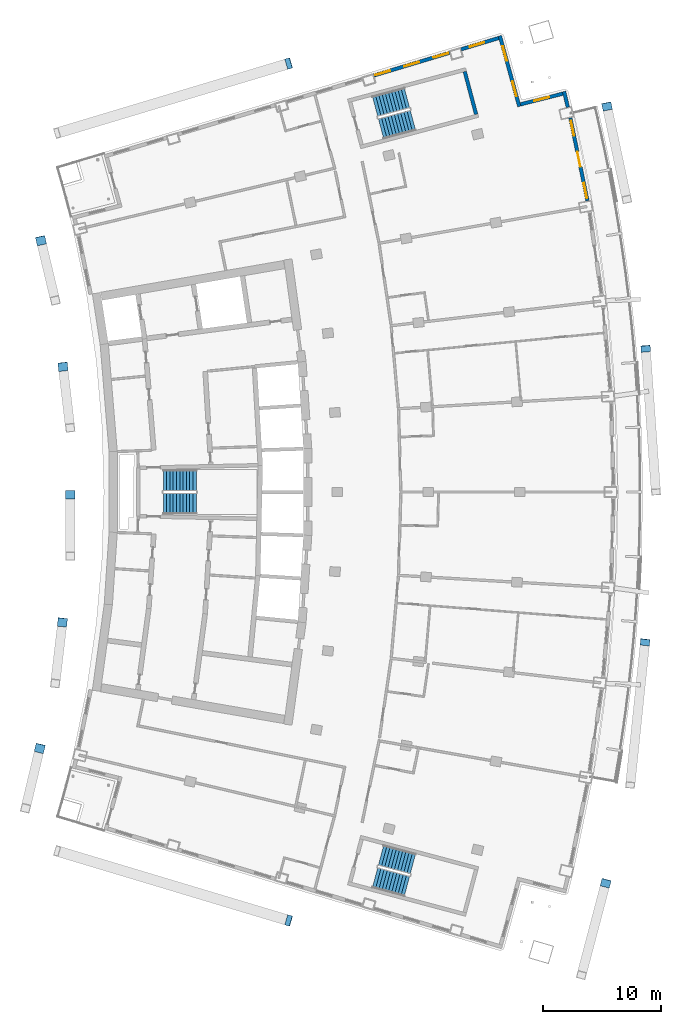
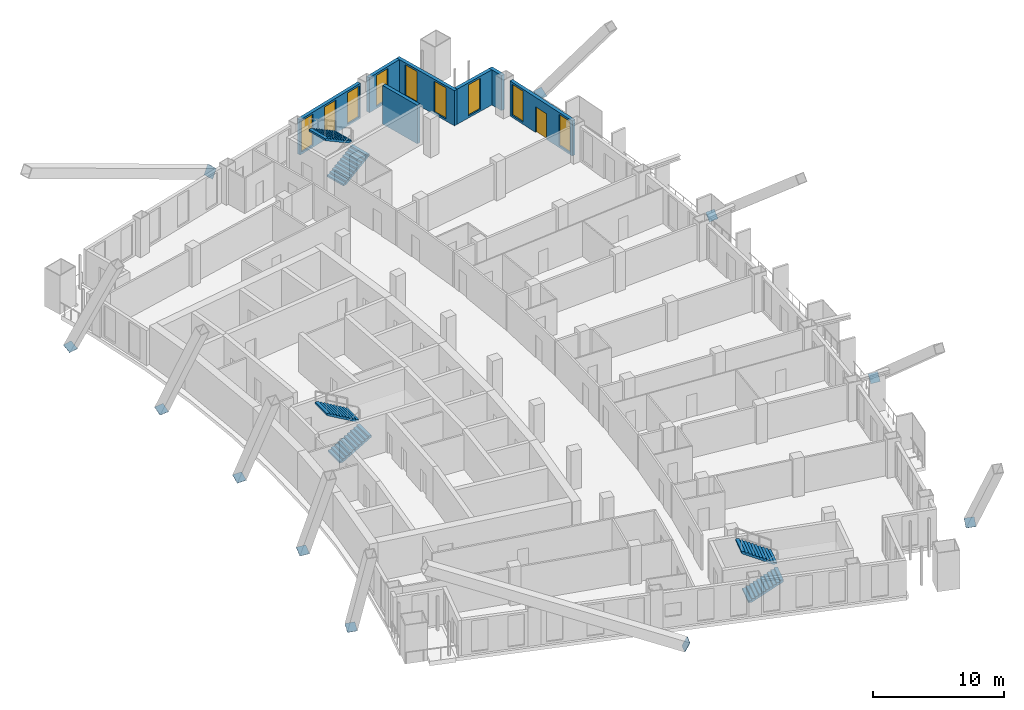
# One storey, part 16 of 19: 11 discrete accessories, 9 windows, 7 walls, 6 stair flights, 1 door, 10 openings, 3 elements without a shape of their own.
"""IFC4 building model written with IfcOpenShell, lengths in metres."""

from ifc_helpers import new_model, si_unit, direction, frame, frame_2d, origin, origin_2d, place, context, subcontext, project, spatial, polyline, rectangle, outline, extrude, material, layer, layer_set, material_profile, profile_set, type_object, element, fill, aggregate, save


model = new_model("IFC4")

# Units and contexts
model_context = context("Model", 3, precision=1e-05, world=origin(), true_north=direction((0.0, 1.0)))
body_context = subcontext(model_context, "Body", "Model", "MODEL_VIEW")
ifc_project = project(units=[si_unit("LENGTHUNIT", "METRE"), si_unit("AREAUNIT", "SQUARE_METRE"), si_unit("VOLUMEUNIT", "CUBIC_METRE"), si_unit("PLANEANGLEUNIT", "RADIAN"), si_unit("MASSUNIT", "GRAM", prefix="KILO")], contexts=[model_context])

# Site, building, storey
site_placement = place(None, origin())
site = spatial("IfcSite", under=ifc_project, at=site_placement, CompositionType="ELEMENT")
building_placement = place(site_placement, origin())
building = spatial("IfcBuilding", under=site, at=building_placement, Name="Alderwake Tower", CompositionType="ELEMENT")
storey_placement = place(building_placement, frame((0.0, 0.0, 171.199951171875)))
storey = spatial("IfcBuildingStorey", under=building, at=storey_placement, Name="L42", CompositionType="ELEMENT", Elevation=171.199951171875)

# Wall
ifc_material_1 = material(Name="Concrete C70/85", Category="concrete")
ifc_layer_1 = layer(ifc_material_1, 0.300048828125)
ifc_layer_set_1 = layer_set([ifc_layer_1], Name="Core wall stair enclosure 300 C70-85")
wall_type_1 = type_object("IfcWallType", Name="Core wall stair enclosure 300 C70-85", PredefinedType="SHEAR", material=ifc_layer_set_1)
wall_1_placement = place(storey_placement, frame((47.581298828125, 93.041748046875, 0.0), z_axis=(0.0, 0.0, 1.0), x_axis=(-0.257366821694, 0.966313778796, 0.0)))
element("IfcWall", 1, at=wall_1_placement, inside=storey, type_object=wall_type_1, Name="Core wall CW.081", PredefinedType="SHEAR", context=body_context, shape_type="SweptSolid", body=[
    extrude(rectangle(XDim=3.749755859375, YDim=0.300048828125, at=frame_2d((1.875, 0.0))), origin(), (0.0, 0.0, 1.0), 3.60009765625),
])

# Wall, openings, door, windows
ifc_material_2 = material(Name="Precast concrete C50/60 spandrel panel", Category="concrete")
ifc_layer_2 = layer(ifc_material_2, 0.300048828125)
ifc_layer_set_2 = layer_set([ifc_layer_2], Name="External wall EW1 Precast concrete C50/60 spandrel")
wall_type_2 = type_object("IfcWallType", Name="External wall EW1 Precast concrete C50/60 spandrel", PredefinedType="SOLIDWALL", material=ifc_layer_set_2)
wall_2_placement = place(storey_placement, frame((57.027099609375, 85.707763671875, 0.0), z_axis=(0.0, 0.0, 1.0), x_axis=(-0.202713609839, 0.979238067268, 0.0)))
wall_2 = element("IfcWall", 2, at=wall_2_placement, inside=storey, type_object=wall_type_2, Name="External wall 19", PredefinedType="SOLIDWALL", context=body_context, shape_type="SweptSolid", body=[
    extrude(rectangle(XDim=7.175537109375, YDim=0.300048828125, at=frame_2d((3.587890625, 0.0))), origin(), (0.0, 0.0, 1.0), 3.280029296875),
])
opening_1_placement = place(wall_2_placement, frame((0.2353515625, 0.0, 0.199951171875)))
opening_1 = element("IfcOpeningElement", 3, at=opening_1_placement, cuts=wall_2, Name="Opening W1", PredefinedType="OPENING", context=body_context, shape_type="SweptSolid", body=[
    extrude(rectangle(XDim=1.300048828125, YDim=2.89990234375, at=frame_2d((0.64990234375, 1.449951171875))), frame((0.0, 0.159912109375, 0.0), z_axis=(0.0, -1.0, 0.0), x_axis=(1.0, 0.0, 0.0)), (0.0, 0.0, 1.0), 0.320068359375),
])
opening_2_placement = place(wall_2_placement, frame((2.937744140625, 0.0, 0.0)))
opening_2 = element("IfcOpeningElement", 4, at=opening_2_placement, cuts=wall_2, Name="Opening D08", PredefinedType="OPENING", context=body_context, shape_type="SweptSolid", body=[
    extrude(rectangle(XDim=1.300048828125, YDim=2.39990234375, at=frame_2d((0.64990234375, 1.199951171875))), frame((0.0, 0.159912109375, 0.0), z_axis=(0.0, -1.0, 0.0), x_axis=(1.0, 0.0, 0.0)), (0.0, 0.0, 1.0), 0.320068359375),
])
opening_3_placement = place(wall_2_placement, frame((5.64013671875, 0.0, 0.199951171875)))
opening_3 = element("IfcOpeningElement", 5, at=opening_3_placement, cuts=wall_2, Name="Opening W1", PredefinedType="OPENING", context=body_context, shape_type="SweptSolid", body=[
    extrude(rectangle(XDim=1.300048828125, YDim=2.89990234375, at=frame_2d((0.64990234375, 1.449951171875))), frame((0.0, 0.159912109375, 0.0), z_axis=(0.0, -1.0, 0.0), x_axis=(1.0, 0.0, 0.0)), (0.0, 0.0, 1.0), 0.320068359375),
])
ifc_material_3 = material(Name="Bronze tinted glass in aluminium frame", Category="aluminium")
door_type = type_object("IfcDoorType", Name="Balcony door BD sliding", OperationType="SLIDING_TO_LEFT", PredefinedType="DOOR", material=ifc_material_3)
door_placement = place(opening_2_placement, origin())
door = element("IfcDoor", 6, at=door_placement, inside=storey, type_object=door_type, Name="Door D08", OperationType="SLIDING_TO_LEFT", OverallHeight=2.39990234375, OverallWidth=1.300048828125, PredefinedType="DOOR", context=body_context, shape_type="SweptSolid", body=[
    extrude(rectangle(XDim=1.300048828125, YDim=2.39990234375, at=frame_2d((0.64990234375, 1.199951171875))), frame((0.0, 0.02490234375, 0.0), z_axis=(0.0, -1.0, 0.0), x_axis=(1.0, 0.0, 0.0)), (0.0, 0.0, 1.0), 0.050048828125),
])
fill(opening_2, door)
ifc_material_4 = material(Name="Bronze tinted glass in aluminium frame", Category="aluminium")
window_type = type_object("IfcWindowType", Name="Window W1 tall fixed and vent", PartitioningType="DOUBLE_PANEL_VERTICAL", PredefinedType="WINDOW", material=ifc_material_4)
window_1_placement = place(opening_1_placement, origin())
window_1 = element("IfcWindow", 7, at=window_1_placement, inside=storey, type_object=window_type, Name="Window W1 tall fixed and vent", OverallHeight=2.89990234375, OverallWidth=1.300048828125, PartitioningType="DOUBLE_PANEL_VERTICAL", PredefinedType="WINDOW", context=body_context, shape_type="SweptSolid", body=[
    extrude(rectangle(XDim=1.300048828125, YDim=2.89990234375, at=frame_2d((0.64990234375, 1.449951171875))), frame((0.0, 0.030029296875, 0.0), z_axis=(0.0, -1.0, 0.0), x_axis=(1.0, 0.0, 0.0)), (0.0, 0.0, 1.0), 0.06005859375),
])
fill(opening_1, window_1)
window_2_placement = place(opening_3_placement, origin())
window_2 = element("IfcWindow", 8, at=window_2_placement, inside=storey, type_object=window_type, Name="Window W1 tall fixed and vent", OverallHeight=2.89990234375, OverallWidth=1.300048828125, PartitioningType="DOUBLE_PANEL_VERTICAL", PredefinedType="WINDOW", context=body_context, shape_type="SweptSolid", body=[
    extrude(rectangle(XDim=1.300048828125, YDim=2.89990234375, at=frame_2d((0.64990234375, 1.449951171875))), frame((0.0, 0.030029296875, 0.0), z_axis=(0.0, -1.0, 0.0), x_axis=(1.0, 0.0, 0.0)), (0.0, 0.0, 1.0), 0.06005859375),
])
fill(opening_3, window_2)

# Wall
wall_3_placement = place(storey_placement, frame((55.367919921875, 93.640380859375, 0.0), z_axis=(0.0, 0.0, 1.0), x_axis=(-0.238313179322, 0.971188358951, 0.0)))
element("IfcWall", 9, at=wall_3_placement, inside=storey, type_object=wall_type_2, Name="External wall 20", PredefinedType="SOLIDWALL", context=body_context, shape_type="SweptSolid", body=[
    extrude(rectangle(XDim=1.374755859375, YDim=0.300048828125, at=frame_2d((0.6875, 0.0))), origin(), (0.0, 0.0, 1.0), 3.280029296875),
])

# Wall, opening, window
ifc_material_5 = material(Name="Bronze metal cladding on lightweight framing")
ifc_layer_3 = layer(ifc_material_5, 0.300048828125)
ifc_layer_set_3 = layer_set([ifc_layer_3], Name="External wall EW2 bronze metal cladding")
wall_type_3 = type_object("IfcWallType", Name="External wall EW2 bronze metal cladding", PredefinedType="SOLIDWALL", material=ifc_layer_set_3)
wall_4_placement = place(storey_placement, frame((54.930419921875, 94.793212890625, 0.0), z_axis=(0.0, 0.0, 1.0), x_axis=(-0.969426922046, -0.245380200529, 0.0)))
wall_4 = element("IfcWall", 10, at=wall_4_placement, inside=storey, type_object=wall_type_3, Name="External wall 21", PredefinedType="SOLIDWALL", context=body_context, shape_type="SweptSolid", body=[
    extrude(rectangle(XDim=3.6943359375, YDim=0.300048828125, at=frame_2d((1.84716796875, 0.0))), origin(), (0.0, 0.0, 1.0), 3.280029296875),
])
opening_4_placement = place(wall_4_placement, frame((1.197021484375, 0.0, 0.199951171875)))
opening_4 = element("IfcOpeningElement", 11, at=opening_4_placement, cuts=wall_4, Name="Opening W1", PredefinedType="OPENING", context=body_context, shape_type="SweptSolid", body=[
    extrude(rectangle(XDim=1.300048828125, YDim=2.89990234375, at=frame_2d((0.64990234375, 1.449951171875))), frame((0.0, 0.159912109375, 0.0), z_axis=(0.0, -1.0, 0.0), x_axis=(1.0, 0.0, 0.0)), (0.0, 0.0, 1.0), 0.320068359375),
])
window_3_placement = place(opening_4_placement, origin())
window_3 = element("IfcWindow", 12, at=window_3_placement, inside=storey, type_object=window_type, Name="Window W1 tall fixed and vent", OverallHeight=2.89990234375, OverallWidth=1.300048828125, PartitioningType="DOUBLE_PANEL_VERTICAL", PredefinedType="WINDOW", context=body_context, shape_type="SweptSolid", body=[
    extrude(rectangle(XDim=1.300048828125, YDim=2.89990234375, at=frame_2d((0.64990234375, 1.449951171875))), frame((0.0, 0.030029296875, 0.0), z_axis=(0.0, -1.0, 0.0), x_axis=(1.0, 0.0, 0.0)), (0.0, 0.0, 1.0), 0.06005859375),
])
fill(opening_4, window_3)

# Wall, openings, windows
wall_5_placement = place(storey_placement, frame((51.243408203125, 93.705078125, 0.0), z_axis=(0.0, 0.0, 1.0), x_axis=(-0.265080723664, 0.964226223426, 0.0)))
wall_5 = element("IfcWall", 13, at=wall_5_placement, inside=storey, type_object=wall_type_3, Name="External wall 22", PredefinedType="SOLIDWALL", context=body_context, shape_type="SweptSolid", body=[
    extrude(rectangle(XDim=6.216796875, YDim=0.300048828125, at=frame_2d((3.1083984375, 0.0))), origin(), (0.0, 0.0, 1.0), 3.280029296875),
])
opening_5_placement = place(wall_5_placement, frame((0.904296875, 0.0, 0.199951171875)))
opening_5 = element("IfcOpeningElement", 14, at=opening_5_placement, cuts=wall_5, Name="Opening W1", PredefinedType="OPENING", context=body_context, shape_type="SweptSolid", body=[
    extrude(rectangle(XDim=1.300048828125, YDim=2.89990234375, at=frame_2d((0.64990234375, 1.449951171875))), frame((0.0, 0.159912109375, 0.0), z_axis=(0.0, -1.0, 0.0), x_axis=(1.0, 0.0, 0.0)), (0.0, 0.0, 1.0), 0.320068359375),
])
opening_6_placement = place(wall_5_placement, frame((4.012451171875, 0.0, 0.199951171875)))
opening_6 = element("IfcOpeningElement", 15, at=opening_6_placement, cuts=wall_5, Name="Opening W1", PredefinedType="OPENING", context=body_context, shape_type="SweptSolid", body=[
    extrude(rectangle(XDim=1.300048828125, YDim=2.89990234375, at=frame_2d((0.64990234375, 1.449951171875))), frame((0.0, 0.159912109375, 0.0), z_axis=(0.0, -1.0, 0.0), x_axis=(1.0, 0.0, 0.0)), (0.0, 0.0, 1.0), 0.320068359375),
])
window_4_placement = place(opening_5_placement, origin())
window_4 = element("IfcWindow", 16, at=window_4_placement, inside=storey, type_object=window_type, Name="Window W1 tall fixed and vent", OverallHeight=2.89990234375, OverallWidth=1.300048828125, PartitioningType="DOUBLE_PANEL_VERTICAL", PredefinedType="WINDOW", context=body_context, shape_type="SweptSolid", body=[
    extrude(rectangle(XDim=1.300048828125, YDim=2.89990234375, at=frame_2d((0.64990234375, 1.449951171875))), frame((0.0, 0.030029296875, 0.0), z_axis=(0.0, -1.0, 0.0), x_axis=(1.0, 0.0, 0.0)), (0.0, 0.0, 1.0), 0.06005859375),
])
fill(opening_5, window_4)
window_5_placement = place(opening_6_placement, origin())
window_5 = element("IfcWindow", 17, at=window_5_placement, inside=storey, type_object=window_type, Name="Window W1 tall fixed and vent", OverallHeight=2.89990234375, OverallWidth=1.300048828125, PartitioningType="DOUBLE_PANEL_VERTICAL", PredefinedType="WINDOW", context=body_context, shape_type="SweptSolid", body=[
    extrude(rectangle(XDim=1.300048828125, YDim=2.89990234375, at=frame_2d((0.64990234375, 1.449951171875))), frame((0.0, 0.030029296875, 0.0), z_axis=(0.0, -1.0, 0.0), x_axis=(1.0, 0.0, 0.0)), (0.0, 0.0, 1.0), 0.06005859375),
])
fill(opening_6, window_5)

# Wall, opening, window
wall_6_placement = place(storey_placement, frame((49.49169921875, 99.51171875, 0.0), z_axis=(0.0, 0.0, 1.0), x_axis=(-0.957757642826, -0.287576594332, 0.0)))
wall_6 = element("IfcWall", 18, at=wall_6_placement, inside=storey, type_object=wall_type_3, Name="External wall 23", PredefinedType="SOLIDWALL", context=body_context, shape_type="SweptSolid", body=[
    extrude(rectangle(XDim=3.32958984375, YDim=0.300048828125, at=frame_2d((1.664794921875, 0.0))), origin(), (0.0, 0.0, 1.0), 3.280029296875),
])
opening_7_placement = place(wall_6_placement, frame((1.265625, 0.0, 0.199951171875)))
opening_7 = element("IfcOpeningElement", 19, at=opening_7_placement, cuts=wall_6, Name="Opening W1", PredefinedType="OPENING", context=body_context, shape_type="SweptSolid", body=[
    extrude(rectangle(XDim=1.300048828125, YDim=2.89990234375, at=frame_2d((0.64990234375, 1.449951171875))), frame((0.0, 0.159912109375, 0.0), z_axis=(0.0, -1.0, 0.0), x_axis=(1.0, 0.0, 0.0)), (0.0, 0.0, 1.0), 0.320068359375),
])
window_6_placement = place(opening_7_placement, origin())
window_6 = element("IfcWindow", 20, at=window_6_placement, inside=storey, type_object=window_type, Name="Window W1 tall fixed and vent", OverallHeight=2.89990234375, OverallWidth=1.300048828125, PartitioningType="DOUBLE_PANEL_VERTICAL", PredefinedType="WINDOW", context=body_context, shape_type="SweptSolid", body=[
    extrude(rectangle(XDim=1.300048828125, YDim=2.89990234375, at=frame_2d((0.64990234375, 1.449951171875))), frame((0.0, 0.030029296875, 0.0), z_axis=(0.0, -1.0, 0.0), x_axis=(1.0, 0.0, 0.0)), (0.0, 0.0, 1.0), 0.06005859375),
])
fill(opening_7, window_6)

# Wall, openings, windows
wall_7_placement = place(storey_placement, frame((45.341552734375, 98.265625, 0.0), z_axis=(0.0, 0.0, 1.0), x_axis=(-0.957769353605, -0.287537589359, 0.0)))
wall_7 = element("IfcWall", 21, at=wall_7_placement, inside=storey, type_object=wall_type_3, Name="External wall 24", PredefinedType="SOLIDWALL", context=body_context, shape_type="SweptSolid", body=[
    extrude(rectangle(XDim=6.729736328125, YDim=0.300048828125, at=frame_2d((3.36474609375, 0.0))), origin(), (0.0, 0.0, 1.0), 3.280029296875),
])
opening_8_placement = place(wall_7_placement, frame((0.13720703125, 0.0, 0.199951171875)))
opening_8 = element("IfcOpeningElement", 22, at=opening_8_placement, cuts=wall_7, Name="Opening W1", PredefinedType="OPENING", context=body_context, shape_type="SweptSolid", body=[
    extrude(rectangle(XDim=1.300048828125, YDim=2.89990234375, at=frame_2d((0.64990234375, 1.449951171875))), frame((0.0, 0.159912109375, 0.0), z_axis=(0.0, -1.0, 0.0), x_axis=(1.0, 0.0, 0.0)), (0.0, 0.0, 1.0), 0.320068359375),
])
opening_9_placement = place(wall_7_placement, frame((2.71484375, 0.0, 0.199951171875)))
opening_9 = element("IfcOpeningElement", 23, at=opening_9_placement, cuts=wall_7, Name="Opening W1", PredefinedType="OPENING", context=body_context, shape_type="SweptSolid", body=[
    extrude(rectangle(XDim=1.300048828125, YDim=2.89990234375, at=frame_2d((0.64990234375, 1.449951171875))), frame((0.0, 0.159912109375, 0.0), z_axis=(0.0, -1.0, 0.0), x_axis=(1.0, 0.0, 0.0)), (0.0, 0.0, 1.0), 0.320068359375),
])
opening_10_placement = place(wall_7_placement, frame((5.292724609375, 0.0, 0.199951171875)))
opening_10 = element("IfcOpeningElement", 24, at=opening_10_placement, cuts=wall_7, Name="Opening W1", PredefinedType="OPENING", context=body_context, shape_type="SweptSolid", body=[
    extrude(rectangle(XDim=1.300048828125, YDim=2.89990234375, at=frame_2d((0.64990234375, 1.449951171875))), frame((0.0, 0.159912109375, 0.0), z_axis=(0.0, -1.0, 0.0), x_axis=(1.0, 0.0, 0.0)), (0.0, 0.0, 1.0), 0.320068359375),
])
window_7_placement = place(opening_8_placement, origin())
window_7 = element("IfcWindow", 25, at=window_7_placement, inside=storey, type_object=window_type, Name="Window W1 tall fixed and vent", OverallHeight=2.89990234375, OverallWidth=1.300048828125, PartitioningType="DOUBLE_PANEL_VERTICAL", PredefinedType="WINDOW", context=body_context, shape_type="SweptSolid", body=[
    extrude(rectangle(XDim=1.300048828125, YDim=2.89990234375, at=frame_2d((0.64990234375, 1.449951171875))), frame((0.0, 0.030029296875, 0.0), z_axis=(0.0, -1.0, 0.0), x_axis=(1.0, 0.0, 0.0)), (0.0, 0.0, 1.0), 0.06005859375),
])
fill(opening_8, window_7)
window_8_placement = place(opening_9_placement, origin())
window_8 = element("IfcWindow", 26, at=window_8_placement, inside=storey, type_object=window_type, Name="Window W1 tall fixed and vent", OverallHeight=2.89990234375, OverallWidth=1.300048828125, PartitioningType="DOUBLE_PANEL_VERTICAL", PredefinedType="WINDOW", context=body_context, shape_type="SweptSolid", body=[
    extrude(rectangle(XDim=1.300048828125, YDim=2.89990234375, at=frame_2d((0.64990234375, 1.449951171875))), frame((0.0, 0.030029296875, 0.0), z_axis=(0.0, -1.0, 0.0), x_axis=(1.0, 0.0, 0.0)), (0.0, 0.0, 1.0), 0.06005859375),
])
fill(opening_9, window_8)
window_9_placement = place(opening_10_placement, origin())
window_9 = element("IfcWindow", 27, at=window_9_placement, inside=storey, type_object=window_type, Name="Window W1 tall fixed and vent", OverallHeight=2.89990234375, OverallWidth=1.300048828125, PartitioningType="DOUBLE_PANEL_VERTICAL", PredefinedType="WINDOW", context=body_context, shape_type="SweptSolid", body=[
    extrude(rectangle(XDim=1.300048828125, YDim=2.89990234375, at=frame_2d((0.64990234375, 1.449951171875))), frame((0.0, 0.030029296875, 0.0), z_axis=(0.0, -1.0, 0.0), x_axis=(1.0, 0.0, 0.0)), (0.0, 0.0, 1.0), 0.06005859375),
])
fill(opening_10, window_9)

# Stair, stair flights
ifc_material_6 = material(Name="Concrete C40/50", Category="concrete")
stair_type = type_object("IfcStairType", Name="Core exit stair", PredefinedType="HALF_TURN_STAIR", material=ifc_material_6)
stair_1_placement = place(storey_placement, origin())
stair_1 = element("IfcStair", 28, at=stair_1_placement, inside=storey, type_object=stair_type, Name="L42 Exit Stair B", PredefinedType="HALF_TURN_STAIR")
ifc_material_7 = material(Name="Concrete C40/50", Category="concrete")
ifc_layer_4 = layer(ifc_material_7, 0.14990234375)
ifc_layer_set_4 = layer_set([ifc_layer_4], Name="Core stair flight")
stair_flight_type = type_object("IfcStairFlightType", Name="Core stair flight", PredefinedType="STRAIGHT", material=ifc_layer_set_4)
stair_flight_1_placement = place(storey_placement, frame((21.0400390625, 60.02490234375, 0.0), z_axis=(0.0, 0.0, 1.0), x_axis=(1.0, 0.0, 0.0)))
stair_flight_1 = element("IfcStairFlight", 29, at=stair_flight_1_placement, type_object=stair_flight_type, Name="ST-B flight 1", NumberOfRisers=11, NumberOfTreads=10, PredefinedType="STRAIGHT", RiserHeight=0.163636364, TreadLength=0.28, context=body_context, shape_type="SweptSolid", body=[
    extrude(outline(polyline([(0.0, 0.0), (0.0, 0.16357421875), (0.280029296875, 0.16357421875), (0.280029296875, 0.327392578125), (0.56005859375, 0.327392578125), (0.56005859375, 0.490966796875), (0.840087890625, 0.490966796875), (0.840087890625, 0.654541015625), (1.1201171875, 0.654541015625), (1.1201171875, 0.818115234375), (1.39990234375, 0.818115234375), (1.39990234375, 0.98193359375), (1.679931640625, 0.98193359375), (1.679931640625, 1.1455078125), (1.9599609375, 1.1455078125), (1.9599609375, 1.30908203125), (2.239990234375, 1.30908203125), (2.239990234375, 1.47265625), (2.52001953125, 1.47265625), (2.52001953125, 1.636474609375), (2.800048828125, 1.636474609375), (2.800048828125, 1.800048828125), (2.800048828125, 1.462646484375), (0.297119140625, 0.0), (0.0, 0.0)])), frame((0.0, 0.89990234375, 0.0), z_axis=(0.0, -1.0, 0.0), x_axis=(1.0, 0.0, 0.0)), (0.0, 0.0, 1.0), 1.800048828125),
])
stair_flight_2_placement = place(storey_placement, frame((23.840087890625, 61.97509765625, 1.800048828125), z_axis=(0.0, 0.0, 1.0), x_axis=(-1.0, 0.0, 0.0)))
stair_flight_2 = element("IfcStairFlight", 30, at=stair_flight_2_placement, type_object=stair_flight_type, Name="ST-B flight 2", NumberOfRisers=11, NumberOfTreads=10, PredefinedType="STRAIGHT", RiserHeight=0.163636364, TreadLength=0.28, context=body_context, shape_type="SweptSolid", body=[
    extrude(outline(polyline([(0.0, 0.0), (0.0, 0.16357421875), (0.280029296875, 0.16357421875), (0.280029296875, 0.327392578125), (0.56005859375, 0.327392578125), (0.56005859375, 0.490966796875), (0.840087890625, 0.490966796875), (0.840087890625, 0.654541015625), (1.1201171875, 0.654541015625), (1.1201171875, 0.818115234375), (1.39990234375, 0.818115234375), (1.39990234375, 0.98193359375), (1.679931640625, 0.98193359375), (1.679931640625, 1.1455078125), (1.9599609375, 1.1455078125), (1.9599609375, 1.30908203125), (2.239990234375, 1.30908203125), (2.239990234375, 1.47265625), (2.52001953125, 1.47265625), (2.52001953125, 1.636474609375), (2.800048828125, 1.636474609375), (2.800048828125, 1.800048828125), (2.800048828125, 1.462646484375), (0.297119140625, 0.0), (0.0, 0.0)])), frame((0.0, 0.89990234375, 0.0), z_axis=(0.0, -1.0, 0.0), x_axis=(1.0, 0.0, 0.0)), (0.0, 0.0, 1.0), 1.800048828125),
])
aggregate(stair_1, [stair_flight_1, stair_flight_2])

stair_2_placement = place(storey_placement, origin())
stair_2 = element("IfcStair", 31, at=stair_2_placement, inside=storey, type_object=stair_type, Name="L42 Exit Stair A", PredefinedType="HALF_TURN_STAIR")
stair_flight_3_placement = place(storey_placement, frame((39.512939453125, 91.823974609375, 0.0), z_axis=(0.0, 0.0, 1.0), x_axis=(0.966309627437, 0.257382407951, 0.0)))
stair_flight_3 = element("IfcStairFlight", 32, at=stair_flight_3_placement, type_object=stair_flight_type, Name="ST-A flight 1", NumberOfRisers=11, NumberOfTreads=10, PredefinedType="STRAIGHT", RiserHeight=0.163636364, TreadLength=0.28, context=body_context, shape_type="SweptSolid", body=[
    extrude(outline(polyline([(0.0, 0.0), (0.0, 0.16357421875), (0.280029296875, 0.16357421875), (0.280029296875, 0.327392578125), (0.56005859375, 0.327392578125), (0.56005859375, 0.490966796875), (0.840087890625, 0.490966796875), (0.840087890625, 0.654541015625), (1.1201171875, 0.654541015625), (1.1201171875, 0.818115234375), (1.39990234375, 0.818115234375), (1.39990234375, 0.98193359375), (1.679931640625, 0.98193359375), (1.679931640625, 1.1455078125), (1.9599609375, 1.1455078125), (1.9599609375, 1.30908203125), (2.239990234375, 1.30908203125), (2.239990234375, 1.47265625), (2.52001953125, 1.47265625), (2.52001953125, 1.636474609375), (2.800048828125, 1.636474609375), (2.800048828125, 1.800048828125), (2.800048828125, 1.462646484375), (0.297119140625, 0.0), (0.0, 0.0)])), frame((0.0, 0.89990234375, 0.0), z_axis=(0.0, -1.0, 0.0), x_axis=(1.0, 0.0, 0.0)), (0.0, 0.0, 1.0), 1.800048828125),
])
stair_flight_4_placement = place(storey_placement, frame((41.716796875, 94.428955078125, 1.800048828125), z_axis=(0.0, 0.0, 1.0), x_axis=(-0.966309627437, -0.257382407951, 0.0)))
stair_flight_4 = element("IfcStairFlight", 33, at=stair_flight_4_placement, type_object=stair_flight_type, Name="ST-A flight 2", NumberOfRisers=11, NumberOfTreads=10, PredefinedType="STRAIGHT", RiserHeight=0.163636364, TreadLength=0.28, context=body_context, shape_type="SweptSolid", body=[
    extrude(outline(polyline([(0.0, 0.0), (0.0, 0.16357421875), (0.280029296875, 0.16357421875), (0.280029296875, 0.327392578125), (0.56005859375, 0.327392578125), (0.56005859375, 0.490966796875), (0.840087890625, 0.490966796875), (0.840087890625, 0.654541015625), (1.1201171875, 0.654541015625), (1.1201171875, 0.818115234375), (1.39990234375, 0.818115234375), (1.39990234375, 0.98193359375), (1.679931640625, 0.98193359375), (1.679931640625, 1.1455078125), (1.9599609375, 1.1455078125), (1.9599609375, 1.30908203125), (2.239990234375, 1.30908203125), (2.239990234375, 1.47265625), (2.52001953125, 1.47265625), (2.52001953125, 1.636474609375), (2.800048828125, 1.636474609375), (2.800048828125, 1.800048828125), (2.800048828125, 1.462646484375), (0.297119140625, 0.0), (0.0, 0.0)])), frame((0.0, 0.89990234375, 0.0), z_axis=(0.0, -1.0, 0.0), x_axis=(1.0, 0.0, 0.0)), (0.0, 0.0, 1.0), 1.800048828125),
])
aggregate(stair_2, [stair_flight_3, stair_flight_4])

stair_3_placement = place(storey_placement, origin())
stair_3 = element("IfcStair", 34, at=stair_3_placement, inside=storey, type_object=stair_type, Name="L42 Exit Stair C", PredefinedType="HALF_TURN_STAIR")
stair_flight_5_placement = place(storey_placement, frame((39.010986328125, 28.291748046875, 0.0), z_axis=(0.0, 0.0, 1.0), x_axis=(0.966309627437, -0.257382407951, 0.0)))
stair_flight_5 = element("IfcStairFlight", 35, at=stair_flight_5_placement, type_object=stair_flight_type, Name="ST-C flight 1", NumberOfRisers=11, NumberOfTreads=10, PredefinedType="STRAIGHT", RiserHeight=0.163636364, TreadLength=0.28, context=body_context, shape_type="SweptSolid", body=[
    extrude(outline(polyline([(0.0, 0.0), (0.0, 0.16357421875), (0.280029296875, 0.16357421875), (0.280029296875, 0.327392578125), (0.56005859375, 0.327392578125), (0.56005859375, 0.490966796875), (0.840087890625, 0.490966796875), (0.840087890625, 0.654541015625), (1.1201171875, 0.654541015625), (1.1201171875, 0.818115234375), (1.39990234375, 0.818115234375), (1.39990234375, 0.98193359375), (1.679931640625, 0.98193359375), (1.679931640625, 1.1455078125), (1.9599609375, 1.1455078125), (1.9599609375, 1.30908203125), (2.239990234375, 1.30908203125), (2.239990234375, 1.47265625), (2.52001953125, 1.47265625), (2.52001953125, 1.636474609375), (2.800048828125, 1.636474609375), (2.800048828125, 1.800048828125), (2.800048828125, 1.462646484375), (0.297119140625, 0.0), (0.0, 0.0)])), frame((0.0, 0.89990234375, 0.0), z_axis=(0.0, -1.0, 0.0), x_axis=(1.0, 0.0, 0.0)), (0.0, 0.0, 1.0), 1.800048828125),
])
stair_flight_6_placement = place(storey_placement, frame((42.218505859375, 29.455322265625, 1.800048828125), z_axis=(0.0, 0.0, 1.0), x_axis=(-0.966309627437, 0.257382407951, 0.0)))
stair_flight_6 = element("IfcStairFlight", 36, at=stair_flight_6_placement, type_object=stair_flight_type, Name="ST-C flight 2", NumberOfRisers=11, NumberOfTreads=10, PredefinedType="STRAIGHT", RiserHeight=0.163636364, TreadLength=0.28, context=body_context, shape_type="SweptSolid", body=[
    extrude(outline(polyline([(0.0, 0.0), (0.0, 0.16357421875), (0.280029296875, 0.16357421875), (0.280029296875, 0.327392578125), (0.56005859375, 0.327392578125), (0.56005859375, 0.490966796875), (0.840087890625, 0.490966796875), (0.840087890625, 0.654541015625), (1.1201171875, 0.654541015625), (1.1201171875, 0.818115234375), (1.39990234375, 0.818115234375), (1.39990234375, 0.98193359375), (1.679931640625, 0.98193359375), (1.679931640625, 1.1455078125), (1.9599609375, 1.1455078125), (1.9599609375, 1.30908203125), (2.239990234375, 1.30908203125), (2.239990234375, 1.47265625), (2.52001953125, 1.47265625), (2.52001953125, 1.636474609375), (2.800048828125, 1.636474609375), (2.800048828125, 1.800048828125), (2.800048828125, 1.462646484375), (0.297119140625, 0.0), (0.0, 0.0)])), frame((0.0, 0.89990234375, 0.0), z_axis=(0.0, -1.0, 0.0), x_axis=(1.0, 0.0, 0.0)), (0.0, 0.0, 1.0), 1.800048828125),
])
aggregate(stair_3, [stair_flight_5, stair_flight_6])

# Discrete accessories
ifc_material_8 = material(Name="Steel ASTM A572 Grade 50", Category="steel")
ifc_material_profile_1 = material_profile(ifc_material_8, rectangle(XDim=0.800048828125, YDim=0.800048828125, at=origin_2d()), Name="BOX 800X800X50 cap")
ifc_profile_set_1 = profile_set([ifc_material_profile_1], Name="Steel ASTM A572 Grade 50")
discrete_accessory_type_1 = type_object("IfcDiscreteAccessoryType", Name="End cap plate BOX 800X800X50", PredefinedType="USERDEFINED", material=ifc_profile_set_1)
discrete_accessory_placement = place(storey_placement, frame((58.568603515625, 27.806640625, 0.344482421875), z_axis=(0.163337432701, 0.588014757722, -0.792186548598), x_axis=(-0.96351790963, 0.267643863786, 0.0)))
element("IfcDiscreteAccessory", 37, at=discrete_accessory_placement, inside=storey, type_object=discrete_accessory_type_1, Name="End cap BRF3.2.2B2 X", ObjectType="END CAP", PredefinedType="USERDEFINED", context=body_context, shape_type="SweptSolid", body=[
    extrude(rectangle(XDim=0.800048828125, YDim=0.800048828125, at=origin_2d()), origin(), (0.0, 0.0, 1.0), 0.02978515625),
])
for number, where, z_axis, x_axis, name in (
    (38, (61.91064453125, 48.2421875, 0.28125), (0.081311562818, 0.748066377927, -0.658623658827), (-0.994144463069, 0.108059180768, 0.0), "End cap BRF3.2.4B2 X"),
    (39, (61.964599609375, 73.144775390625, 0.28125), (-0.057014298419, 0.749330779223, -0.659736881707), (-0.997117895368, -0.075867665952, 0.0), "End cap BRF3.2.7B2 X"),
    (40, (58.68603515625, 93.699462890625, 0.344482421875), (-0.122027868924, 0.602004153359, -0.789113552376), (-0.980067977123, -0.198662427795, 0.0), "End cap BRF3.2.10B2 X"),
):
    element("IfcDiscreteAccessory", number, at=place(storey_placement, frame(where, z_axis=z_axis, x_axis=x_axis)), inside=storey, type_object=discrete_accessory_type_1, Name=name, ObjectType="END CAP", PredefinedType="USERDEFINED", context=body_context, shape_type="SweptSolid", body=[
        extrude(rectangle(XDim=0.800048828125, YDim=0.800048828125, at=origin_2d()), origin(), (0.0, 0.0, 1.0), 0.030029296875),
    ])
for number, where, z_axis, x_axis, name in (
    (41, (10.565185546875, 39.244873046875, 0.446533203125), (0.106265057576, 0.441408700699, -0.890991636597), (-0.972223637158, 0.234053838575, 0.0), "End cap BRR3.2.2B2 X"),
    (42, (12.48193359375, 49.934814453125, 0.446533203125), (0.049084784017, 0.449943853485, -0.891706909634), (-0.994102176608, 0.108447510175, 0.0), "End cap BRR3.2.4B2 X"),
    (43, (13.141357421875, 60.775146484375, 0.446533203125), (0.0, 0.450486863362, -0.89278305648), (-1.0, 0.0, 0.0), "End cap BRR3.2.6B2 X"),
    (44, (12.5341796875, 71.618408203125, 0.446533203125), (-0.049084784017, 0.449943853485, -0.891706909634), (-0.994102176608, -0.108447510175, 0.0), "End cap BRR3.2.8B2 X"),
    (45, (10.669189453125, 82.3173828125, 0.446533203125), (-0.098172853219, 0.441777839486, -0.891736750073), (-0.976187060184, -0.216930457819, 0.0), "End cap BRR3.2.10B2 X"),
):
    element("IfcDiscreteAccessory", number, at=place(storey_placement, frame(where, z_axis=z_axis, x_axis=x_axis)), inside=storey, type_object=discrete_accessory_type_1, Name=name, ObjectType="END CAP", PredefinedType="USERDEFINED", context=body_context, shape_type="SweptSolid", body=[
        extrude(rectangle(XDim=0.800048828125, YDim=0.800048828125, at=origin_2d()), origin(), (0.0, 0.0, 1.0), 0.02978515625),
    ])
ifc_material_9 = material(Name="Steel ASTM A572 Grade 50", Category="steel")
ifc_material_profile_2 = material_profile(ifc_material_9, rectangle(XDim=0.89990234375, YDim=0.89990234375, at=origin_2d()), Name="BOX 900X900X55 cap")
ifc_profile_set_2 = profile_set([ifc_material_profile_2], Name="Steel ASTM A572 Grade 50")
discrete_accessory_type_2 = type_object("IfcDiscreteAccessoryType", Name="End cap plate BOX 900X900X55", PredefinedType="USERDEFINED", material=ifc_profile_set_2)
for number, where, z_axis, x_axis, name in (
    (46, (31.668701171875, 24.65478515625, 0.305419921875), (0.853856093733, -0.252090846721, -0.455389916658), (0.283155210121, 0.959074098796, 0.0), "End cap BRS3.2.0B2 X"),
    (47, (31.668701171875, 97.34521484375, 0.305419921875), (0.853856093733, 0.252090846721, -0.455389916658), (-0.283155210121, 0.959074098796, 0.0), "End cap BRN3.2.0B2 X"),
):
    element("IfcDiscreteAccessory", number, at=place(storey_placement, frame(where, z_axis=z_axis, x_axis=x_axis)), inside=storey, type_object=discrete_accessory_type_2, Name=name, ObjectType="END CAP", PredefinedType="USERDEFINED", context=body_context, shape_type="SweptSolid", body=[
        extrude(rectangle(XDim=0.89990234375, YDim=0.89990234375, at=origin_2d()), origin(), (0.0, 0.0, 1.0), 0.030029296875),
    ])

save(model, "model.ifc")
